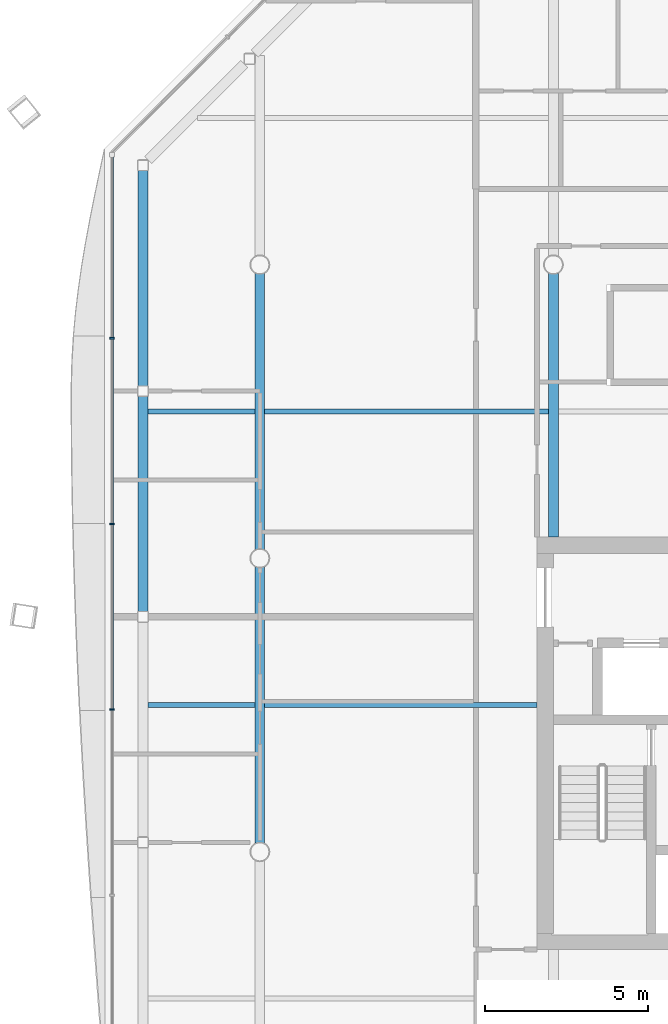
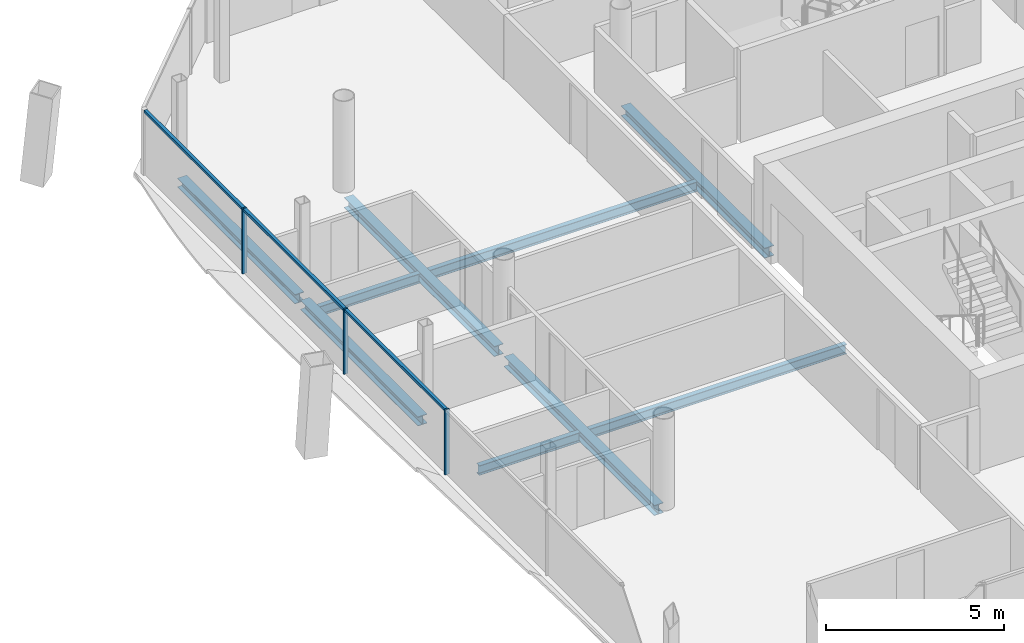
# One storey, part 5 of 19: 9 beams, 6 members, 1 element without a shape of its own.
"""IFC4 building model written with IfcOpenShell, lengths in metres."""

from ifc_helpers import new_model, si_unit, direction, frame, origin, origin_2d, place, context, subcontext, project, spatial, rectangle, i_section, extrude, material, material_profile, profile_set, type_object, element, aggregate, save


model = new_model("IFC4")

# Units and contexts
model_context = context("Model", 3, precision=1e-05, world=origin(), true_north=direction((0.0, 1.0)))
body_context = subcontext(model_context, "Body", "Model", "MODEL_VIEW")
ifc_project = project(units=[si_unit("LENGTHUNIT", "METRE"), si_unit("AREAUNIT", "SQUARE_METRE"), si_unit("VOLUMEUNIT", "CUBIC_METRE"), si_unit("PLANEANGLEUNIT", "RADIAN"), si_unit("MASSUNIT", "GRAM", prefix="KILO")], contexts=[model_context])

# Site, building, storey
site_placement = place(None, origin())
site = spatial("IfcSite", under=ifc_project, at=site_placement, CompositionType="ELEMENT")
building_placement = place(site_placement, origin())
building = spatial("IfcBuilding", under=site, at=building_placement, Name="Tskaro Facet Tower", CompositionType="ELEMENT")
storey_placement = place(building_placement, frame((0.0, 0.0, 206.85009765625)))
storey = spatial("IfcBuildingStorey", under=building, at=storey_placement, Name="L53", CompositionType="ELEMENT", Elevation=206.85009765625)

# Curtain wall, members
ifc_material_1 = material(Name="Bronze anodised aluminium 6063-T6", Category="aluminium")
curtain_wall_type = type_object("IfcCurtainWallType", Name="Bronze residence curtain wall (FW3)", PredefinedType="NOTDEFINED", material=ifc_material_1)
curtain_wall_placement = place(storey_placement, origin())
curtain_wall = element("IfcCurtainWall", 1, at=curtain_wall_placement, inside=storey, type_object=curtain_wall_type, Name="FW3 west facet L53", PredefinedType="NOTDEFINED")
ifc_material_profile_1 = material_profile(ifc_material_1, rectangle(XDim=0.050048828125, YDim=0.139892578125, at=origin_2d()), Name="Mullion 50x140")
ifc_profile_set_1 = profile_set([ifc_material_profile_1], Name="Bronze anodised aluminium 6063-T6")
member_type_1 = type_object("IfcMemberType", Name="FW3 bronze mullion 50x140", PredefinedType="MULLION", material=ifc_profile_set_1)
member_1_placement = place(storey_placement, frame((-22.532958984375, 6.74609375, 0.0), z_axis=(0.0, 0.0, 1.0), x_axis=(0.0, -1.0, 0.0)))
member_1 = element("IfcMember", 2, at=member_1_placement, type_object=member_type_1, Name="FW3 west mullion 1", PredefinedType="MULLION", context=body_context, shape_type="SweptSolid", body=[
    extrude(rectangle(XDim=0.050048828125, YDim=0.139892578125, at=origin_2d()), origin(), (0.0, 0.0, 1.0), 2.239990234375),
])
member_2_placement = place(storey_placement, frame((-22.532958984375, 1.052978515625, 0.0), z_axis=(0.0, 0.0, 1.0), x_axis=(0.0, -1.0, 0.0)))
member_2 = element("IfcMember", 3, at=member_2_placement, type_object=member_type_1, Name="FW3 west mullion 2", PredefinedType="MULLION", context=body_context, shape_type="SweptSolid", body=[
    extrude(rectangle(XDim=0.050048828125, YDim=0.139892578125, at=origin_2d()), origin(), (0.0, 0.0, 1.0), 2.239990234375),
])
member_3_placement = place(storey_placement, frame((-22.532958984375, -4.639892578125, 0.0), z_axis=(0.0, 0.0, 1.0), x_axis=(0.0, -1.0, 0.0)))
member_3 = element("IfcMember", 4, at=member_3_placement, type_object=member_type_1, Name="FW3 west mullion 3", PredefinedType="MULLION", context=body_context, shape_type="SweptSolid", body=[
    extrude(rectangle(XDim=0.050048828125, YDim=0.139892578125, at=origin_2d()), origin(), (0.0, 0.0, 1.0), 2.239990234375),
])
ifc_material_profile_2 = material_profile(ifc_material_1, rectangle(XDim=0.10009765625, YDim=0.090087890625, at=origin_2d()), Name="Transom 100x90")
ifc_profile_set_2 = profile_set([ifc_material_profile_2], Name="Bronze anodised aluminium 6063-T6")
member_type_2 = type_object("IfcMemberType", Name="FW3 bronze transom 100x90", PredefinedType="USERDEFINED", material=ifc_profile_set_2)
member_4_placement = place(storey_placement, frame((-22.532958984375, 12.299072265625, 2.19482421875), z_axis=(0.0, -1.0, 0.0), x_axis=(1.0, 0.0, 0.0)))
member_4 = element("IfcMember", 5, at=member_4_placement, type_object=member_type_2, Name="FW3 west transom 1.1", ObjectType="TRANSOM", PredefinedType="USERDEFINED", context=body_context, shape_type="SweptSolid", body=[
    extrude(rectangle(XDim=0.10009765625, YDim=0.090087890625, at=origin_2d()), origin(), (0.0, 0.0, 1.0), 5.528076171875),
])
member_5_placement = place(storey_placement, frame((-22.532958984375, 6.720947265625, 2.19482421875), z_axis=(0.0, -1.0, 0.0), x_axis=(1.0, 0.0, 0.0)))
member_5 = element("IfcMember", 6, at=member_5_placement, type_object=member_type_2, Name="FW3 west transom 2.1", ObjectType="TRANSOM", PredefinedType="USERDEFINED", context=body_context, shape_type="SweptSolid", body=[
    extrude(rectangle(XDim=0.10009765625, YDim=0.090087890625, at=origin_2d()), origin(), (0.0, 0.0, 1.0), 5.64306640625),
])
member_6_placement = place(storey_placement, frame((-22.532958984375, 1.028076171875, 2.19482421875), z_axis=(0.0, -1.0, 0.0), x_axis=(1.0, 0.0, 0.0)))
member_6 = element("IfcMember", 7, at=member_6_placement, type_object=member_type_2, Name="FW3 west transom 3.1", ObjectType="TRANSOM", PredefinedType="USERDEFINED", context=body_context, shape_type="SweptSolid", body=[
    extrude(rectangle(XDim=0.10009765625, YDim=0.090087890625, at=origin_2d()), origin(), (0.0, 0.0, 1.0), 5.64306640625),
])
aggregate(curtain_wall, [member_1, member_2, member_3, member_4, member_5, member_6])

# Beams
ifc_material_2 = material(Name="Steel S355J2", Category="steel")
ifc_material_profile_3 = material_profile(ifc_material_2, i_section(OverallWidth=0.300048828125, OverallDepth=0.320068359375, WebThickness=0.011474609375, FlangeThickness=0.0205078125, FilletRadius=0.027099609375, at=origin_2d()), Name="HE 320 B")
ifc_profile_set_3 = profile_set([ifc_material_profile_3], Name="Steel S355J2")
beam_type_1 = type_object("IfcBeamType", Name="HE 320 B ring beam", PredefinedType="BEAM", material=ifc_profile_set_3)
beam_1_placement = place(storey_placement, frame((-21.5830078125, 11.89111328125, -0.300048828125), z_axis=(0.0, -1.0, 0.0), x_axis=(1.0, 0.0, 0.0)))
element("IfcBeam", 8, at=beam_1_placement, inside=storey, type_object=beam_type_1, Name="HE 320 B EB17-4", PredefinedType="BEAM", context=body_context, shape_type="SweptSolid", body=[
    extrude(i_section(OverallWidth=0.300048828125, OverallDepth=0.320068359375, WebThickness=0.011474609375, FlangeThickness=0.0205078125, FilletRadius=0.027099609375, at=origin_2d()), origin(), (0.0, 0.0, 1.0), 6.610107421875),
])
beam_2_placement = place(storey_placement, frame((-21.5830078125, 4.970947265625, -0.300048828125), z_axis=(0.0, -1.0, 0.0), x_axis=(1.0, 0.0, 0.0)))
element("IfcBeam", 9, at=beam_2_placement, inside=storey, type_object=beam_type_1, Name="HE 320 B EB18-4", PredefinedType="BEAM", context=body_context, shape_type="SweptSolid", body=[
    extrude(i_section(OverallWidth=0.300048828125, OverallDepth=0.320068359375, WebThickness=0.011474609375, FlangeThickness=0.0205078125, FilletRadius=0.027099609375, at=origin_2d()), origin(), (0.0, 0.0, 1.0), 6.60888671875),
])
ifc_material_profile_4 = material_profile(ifc_material_2, i_section(OverallWidth=0.300048828125, OverallDepth=0.35009765625, WebThickness=0.010009765625, FlangeThickness=0.017578125, FilletRadius=0.027099609375, at=origin_2d()), Name="HE 360 A")
ifc_profile_set_4 = profile_set([ifc_material_profile_4], Name="Steel S355J2")
beam_type_2 = type_object("IfcBeamType", Name="HE 360 A girder", PredefinedType="BEAM", material=ifc_profile_set_4)
for number, where, z_axis, x_axis, name in (
    (10, (-18.0, -8.72509765625, -0.315185546875), (0.0, 1.0, 0.0), (-1.0, 0.0, 0.0), "HE 360 A GB2-2-4"),
    (11, (-18.0, 0.27490234375, -0.315185546875), (0.0, 1.0, 0.0), (-1.0, 0.0, 0.0), "HE 360 A GB2-3-4"),
):
    element("IfcBeam", number, at=place(storey_placement, frame(where, z_axis=z_axis, x_axis=x_axis)), inside=storey, type_object=beam_type_2, Name=name, PredefinedType="BEAM", context=body_context, shape_type="SweptSolid", body=[
        extrude(i_section(OverallWidth=0.300048828125, OverallDepth=0.35009765625, WebThickness=0.010009765625, FlangeThickness=0.017578125, FilletRadius=0.027099609375, at=origin_2d()), origin(), (0.0, 0.0, 1.0), 8.4501953125),
    ])
beam_3_placement = place(storey_placement, frame((-9.0, 0.64990234375, -0.315185546875), z_axis=(0.0, 1.0, 0.0), x_axis=(-1.0, 0.0, 0.0)))
element("IfcBeam", 12, at=beam_3_placement, inside=storey, type_object=beam_type_2, Name="HE 360 A GB3-2-4", PredefinedType="BEAM", context=body_context, shape_type="SweptSolid", body=[
    extrude(i_section(OverallWidth=0.300048828125, OverallDepth=0.35009765625, WebThickness=0.010009765625, FlangeThickness=0.017578125, FilletRadius=0.027099609375, at=origin_2d()), origin(), (0.0, 0.0, 1.0), 8.0751953125),
])
ifc_material_profile_5 = material_profile(ifc_material_2, i_section(OverallWidth=0.159912109375, OverallDepth=0.330078125, WebThickness=0.007568359375, FlangeThickness=0.011474609375, FilletRadius=0.01806640625, at=origin_2d()), Name="IPE 330")
ifc_profile_set_5 = profile_set([ifc_material_profile_5], Name="Steel S355J2")
beam_type_3 = type_object("IfcBeamType", Name="IPE 330 secondary beam", PredefinedType="BEAM", material=ifc_profile_set_5)
beam_4_placement = place(storey_placement, frame((-21.43310546875, -4.5, -0.30517578125), z_axis=(1.0, 0.0, 0.0), x_axis=(0.0, 1.0, 0.0)))
element("IfcBeam", 13, at=beam_4_placement, inside=storey, type_object=beam_type_3, Name="IPE 330 SB3a-1-4", PredefinedType="BEAM", context=body_context, shape_type="SweptSolid", body=[
    extrude(i_section(OverallWidth=0.159912109375, OverallDepth=0.330078125, WebThickness=0.007568359375, FlangeThickness=0.011474609375, FilletRadius=0.01806640625, at=origin_2d()), origin(), (0.0, 0.0, 1.0), 3.283203125),
])
beam_5_placement = place(storey_placement, frame((-17.85009765625, -4.5, -0.30517578125), z_axis=(1.0, 0.0, 0.0), x_axis=(0.0, 1.0, 0.0)))
element("IfcBeam", 14, at=beam_5_placement, inside=storey, type_object=beam_type_3, Name="IPE 330 SB3a-2-4", PredefinedType="BEAM", context=body_context, shape_type="SweptSolid", body=[
    extrude(i_section(OverallWidth=0.159912109375, OverallDepth=0.330078125, WebThickness=0.007568359375, FlangeThickness=0.011474609375, FilletRadius=0.01806640625, at=origin_2d()), origin(), (0.0, 0.0, 1.0), 8.35009765625),
])
beam_6_placement = place(storey_placement, frame((-21.43310546875, 4.5, -0.30517578125), z_axis=(1.0, 0.0, 0.0), x_axis=(0.0, 1.0, 0.0)))
element("IfcBeam", 15, at=beam_6_placement, inside=storey, type_object=beam_type_3, Name="IPE 330 SB4a-1-4", PredefinedType="BEAM", context=body_context, shape_type="SweptSolid", body=[
    extrude(i_section(OverallWidth=0.159912109375, OverallDepth=0.330078125, WebThickness=0.007568359375, FlangeThickness=0.011474609375, FilletRadius=0.01806640625, at=origin_2d()), origin(), (0.0, 0.0, 1.0), 3.283203125),
])
beam_7_placement = place(storey_placement, frame((-17.85009765625, 4.5, -0.30517578125), z_axis=(1.0, 0.0, 0.0), x_axis=(0.0, 1.0, 0.0)))
element("IfcBeam", 16, at=beam_7_placement, inside=storey, type_object=beam_type_3, Name="IPE 330 SB4a-2-4", PredefinedType="BEAM", context=body_context, shape_type="SweptSolid", body=[
    extrude(i_section(OverallWidth=0.159912109375, OverallDepth=0.330078125, WebThickness=0.007568359375, FlangeThickness=0.011474609375, FilletRadius=0.01806640625, at=origin_2d()), origin(), (0.0, 0.0, 1.0), 8.7001953125),
])

save(model, "model.ifc")
